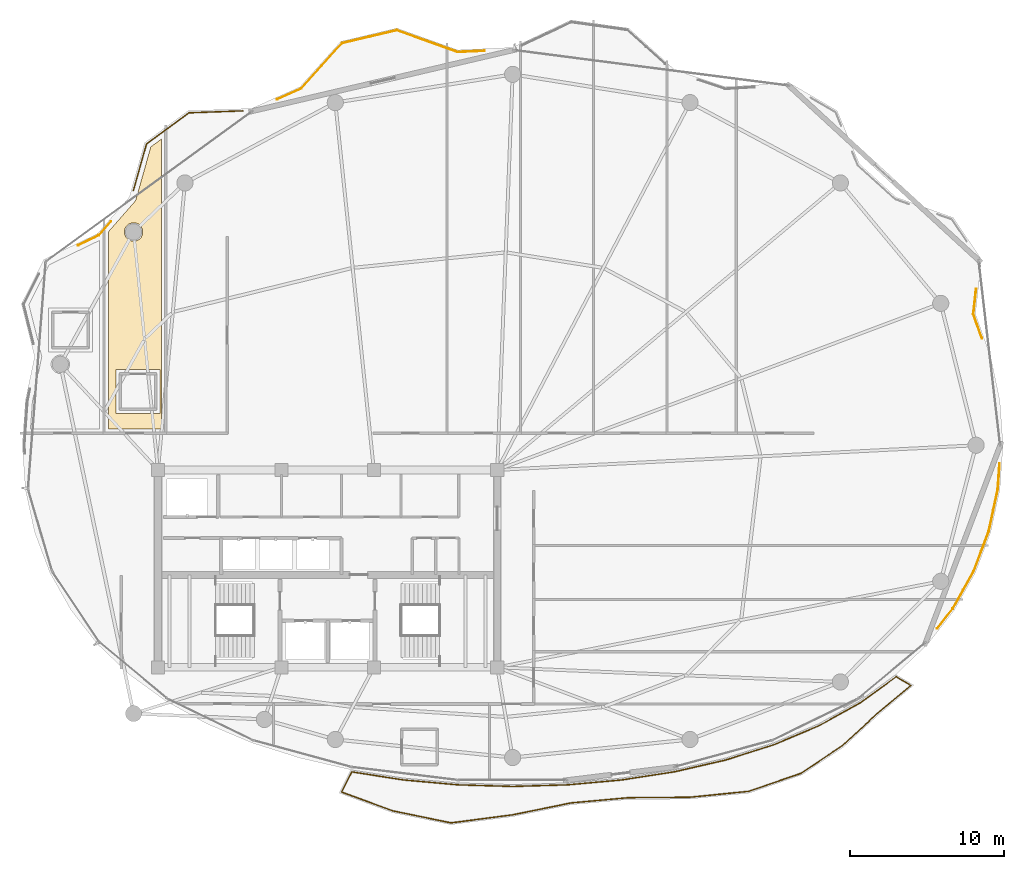
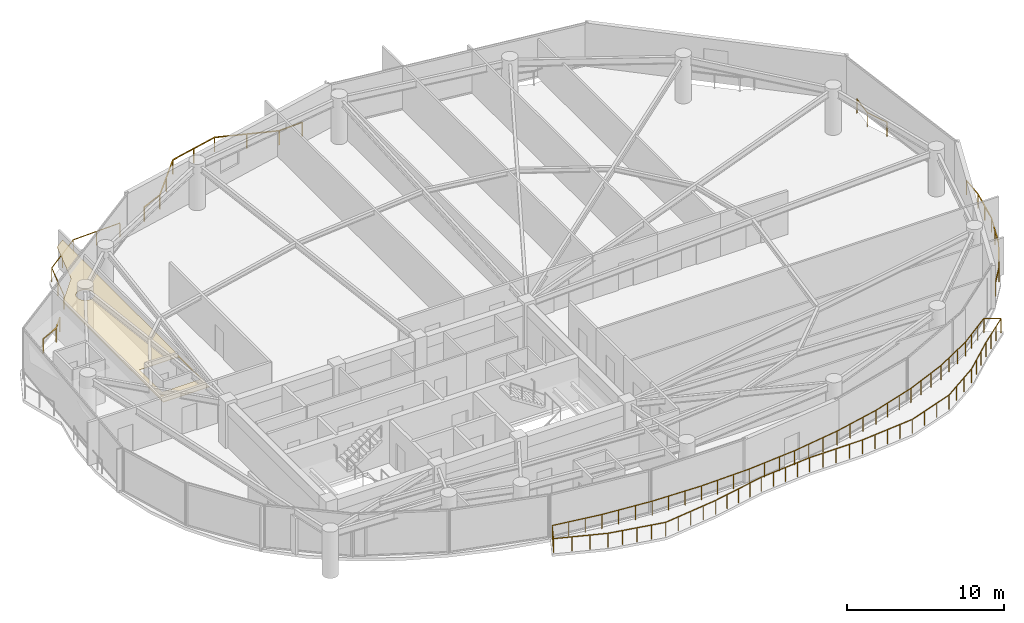
# One storey, part 30 of 31: 6 railings, 1 covering.
"""IFC4 building model written with IfcOpenShell, lengths in metres."""

from ifc_helpers import new_model, si_unit, direction, frame, origin, origin_2d, place, context, subcontext, project, spatial, polyline, rectangle, outline, extrude, material, layer, layer_set, type_object, element, save


model = new_model("IFC4")

# Units and contexts
model_context = context("Model", 3, precision=1e-05, world=origin(), true_north=direction((0.0, 1.0)))
body_context = subcontext(model_context, "Body", "Model", "MODEL_VIEW")
ifc_project = project(units=[si_unit("LENGTHUNIT", "METRE"), si_unit("AREAUNIT", "SQUARE_METRE"), si_unit("VOLUMEUNIT", "CUBIC_METRE"), si_unit("PLANEANGLEUNIT", "RADIAN"), si_unit("MASSUNIT", "GRAM", prefix="KILO")], contexts=[model_context])

# Site, building, storey
site_placement = place(None, origin())
site = spatial("IfcSite", under=ifc_project, at=site_placement, CompositionType="ELEMENT")
building_placement = place(site_placement, origin())
building = spatial("IfcBuilding", under=site, at=building_placement, Name="Kazevale Care Tower and Concert Hall", CompositionType="ELEMENT")
storey_placement = place(building_placement, frame((0.0, 0.0, 210.0)))
storey = spatial("IfcBuildingStorey", under=building, at=storey_placement, Name="L55", CompositionType="ELEMENT", Elevation=210.0)

# Covering
ifc_material_1 = material(Name="Acoustic Plaster and Hinoki Wood", Category="wood")
ifc_layer = layer(ifc_material_1, 0.0400390625)
ifc_layer_set = layer_set([ifc_layer], Name="Acoustic Plaster and Hinoki Wood")
covering_type = type_object("IfcCoveringType", Name="Acoustic Perforated Wood-Gypsum Ceiling", PredefinedType="CEILING", material=ifc_layer_set)
covering_placement = place(storey_placement, frame((0.0, 0.0, 2.7099609375)))
element("IfcCovering", 1, at=covering_placement, inside=storey, type_object=covering_type, Name="clg:L55:2", PredefinedType="CEILING", context=body_context, shape_type="SweptSolid", body=[
    extrude(outline(polyline([(22.219970703125, 57.84912109375), (22.219970703125, 39.054931640625), (18.780029296875, 39.054931640625), (18.780029296875, 51.8349609375), (20.552001953125, 53.861083984375), (21.534912109375, 57.344970703125), (22.219970703125, 57.84912109375)]), holes=[polyline([(19.27001953125, 42.905029296875), (19.27001953125, 40.044921875), (22.1298828125, 40.044921875), (22.1298828125, 42.905029296875), (19.27001953125, 42.905029296875)]), polyline([(21.012939453125, 51.947998046875), (20.923095703125, 52.166015625), (20.756103515625, 52.3330078125), (20.5380859375, 52.423095703125), (20.302001953125, 52.423095703125), (20.083984375, 52.3330078125), (19.9169921875, 52.166015625), (19.826904296875, 51.947998046875), (19.826904296875, 51.7119140625), (19.9169921875, 51.493896484375), (20.083984375, 51.326904296875), (20.302001953125, 51.237060546875), (20.5380859375, 51.237060546875), (20.756103515625, 51.326904296875), (20.923095703125, 51.493896484375), (21.012939453125, 51.7119140625), (21.012939453125, 51.947998046875)])]), origin(), (0.0, 0.0, 1.0), 0.0400390625),
])

# Railings
ifc_material_2 = material(Name="Anodised Bronze Aluminium and Laminated Glass", Category="aluminium")
railing_type = type_object("IfcRailingType", Name="Balcony and Terrace Balustrade 1120", PredefinedType="BALUSTRADE", material=ifc_material_2)
railing_1_placement = place(storey_placement, frame((16.83203125, 50.968994140625, 0.0)))
element("IfcRailing", 2, at=railing_1_placement, inside=storey, type_object=railing_type, Name="rail:L55:perim:3", PredefinedType="BALUSTRADE", context=body_context, shape_type="SweptSolid", body=[
    extrude(rectangle(XDim=0.048095703125, YDim=0.048095703125, at=origin_2d()), frame((0.0, 0.0, 1.09619140625), z_axis=(0.899880965399, 0.436135584553, 0.0), x_axis=(-0.436135584553, 0.899880965399, 0.0)), (0.0, 0.0, 1.0), 1.476806640625),
    extrude(rectangle(XDim=0.048095703125, YDim=0.048095703125, at=origin_2d()), frame((1.328857421875, 0.64404296875, 1.09619140625), z_axis=(0.658533673371, 0.752551261402, 0.0), x_axis=(-0.752551261402, 0.658533673371, 0.0)), (0.0, 0.0, 1.0), 1.189208984375),
    extrude(rectangle(XDim=0.0419921875, YDim=0.0419921875, at=origin_2d()), origin(), (0.0, 0.0, 1.0), 1.072021484375),
    extrude(rectangle(XDim=0.0419921875, YDim=0.0419921875, at=origin_2d()), frame((1.328857421875, 0.64404296875, 0.0)), (0.0, 0.0, 1.0), 1.072021484375),
    extrude(rectangle(XDim=0.0419921875, YDim=0.0419921875, at=origin_2d()), frame((2.112060546875, 1.5390625, 0.0)), (0.0, 0.0, 1.0), 1.072021484375),
])
railing_2_placement = place(storey_placement, frame((20.403076171875, 54.511962890625, 0.0)))
element("IfcRailing", 3, at=railing_2_placement, inside=storey, type_object=railing_type, Name="rail:L55:perim:4", PredefinedType="BALUSTRADE", context=body_context, shape_type="SweptSolid", body=[
    extrude(rectangle(XDim=0.048095703125, YDim=0.048095703125, at=origin_2d()), frame((0.0, 0.0, 1.09619140625), z_axis=(0.27160216444, 0.962409613559, 0.0), x_axis=(-0.962409613559, 0.27160216444, 0.0)), (0.0, 0.0, 1.0), 3.144287109375),
    extrude(rectangle(XDim=0.048095703125, YDim=0.048095703125, at=origin_2d()), frame((0.85400390625, 3.026123046875, 1.09619140625), z_axis=(0.805881115656, 0.592077382973, 0.0), x_axis=(-0.592077382973, 0.805881115656, 0.0)), (0.0, 0.0, 1.0), 3.40966796875),
    extrude(rectangle(XDim=0.048095703125, YDim=0.048095703125, at=origin_2d()), frame((3.601806640625, 5.044921875, 1.09619140625), z_axis=(0.999339175446, 0.036348485787, 0.0), x_axis=(-0.036348485787, 0.999339175446, 0.0)), (0.0, 0.0, 1.0), 3.499267578125),
    extrude(rectangle(XDim=0.0419921875, YDim=0.0419921875, at=origin_2d()), origin(), (0.0, 0.0, 1.0), 1.072021484375),
    extrude(rectangle(XDim=0.0419921875, YDim=0.0419921875, at=origin_2d()), frame((0.427001953125, 1.51318359375, 0.0)), (0.0, 0.0, 1.0), 1.072021484375),
    extrude(rectangle(XDim=0.0419921875, YDim=0.0419921875, at=origin_2d()), frame((0.85400390625, 3.026123046875, 0.0)), (0.0, 0.0, 1.0), 1.072021484375),
    extrude(rectangle(XDim=0.0419921875, YDim=0.0419921875, at=origin_2d()), frame((2.22802734375, 4.03564453125, 0.0)), (0.0, 0.0, 1.0), 1.072021484375),
    extrude(rectangle(XDim=0.0419921875, YDim=0.0419921875, at=origin_2d()), frame((3.601806640625, 5.044921875, 0.0)), (0.0, 0.0, 1.0), 1.072021484375),
    extrude(rectangle(XDim=0.0419921875, YDim=0.0419921875, at=origin_2d()), frame((5.350341796875, 5.1083984375, 0.0)), (0.0, 0.0, 1.0), 1.072021484375),
    extrude(rectangle(XDim=0.0419921875, YDim=0.0419921875, at=origin_2d()), frame((7.098876953125, 5.172119140625, 0.0)), (0.0, 0.0, 1.0), 1.072021484375),
])
railing_3_placement = place(storey_placement, frame((29.737060546875, 60.43505859375, 0.0)))
element("IfcRailing", 4, at=railing_3_placement, inside=storey, type_object=railing_type, Name="rail:L55:perim:5", PredefinedType="BALUSTRADE", context=body_context, shape_type="SweptSolid", body=[
    extrude(rectangle(XDim=0.048095703125, YDim=0.048095703125, at=origin_2d()), frame((0.0, 0.0, 1.09619140625), z_axis=(0.912729386392, 0.408564642641, 0.0), x_axis=(-0.408564642641, 0.912729386392, 0.0)), (0.0, 0.0, 1.0), 1.6982421875),
    extrude(rectangle(XDim=0.048095703125, YDim=0.048095703125, at=origin_2d()), frame((1.550048828125, 0.69384765625, 1.09619140625), z_axis=(0.668500240789, 0.743711925456, 0.0), x_axis=(-0.743711925456, 0.668500240789, 0.0)), (0.0, 0.0, 1.0), 3.950439453125),
    extrude(rectangle(XDim=0.048095703125, YDim=0.048095703125, at=origin_2d()), frame((4.19091796875, 3.6318359375, 1.09619140625), z_axis=(0.97312090779, 0.2302948085, 0.0), x_axis=(-0.2302948085, 0.97312090779, 0.0)), (0.0, 0.0, 1.0), 3.652099609375),
    extrude(rectangle(XDim=0.048095703125, YDim=0.048095703125, at=origin_2d()), frame((7.744873046875, 4.472900390625, 1.09619140625), z_axis=(0.941350252636, -0.337431032749, 0.0), x_axis=(0.337431032749, 0.941350252636, 0.0)), (0.0, 0.0, 1.0), 4.18115234375),
    extrude(rectangle(XDim=0.048095703125, YDim=0.048095703125, at=origin_2d()), frame((11.680908203125, 3.06201171875, 1.09619140625), z_axis=(0.998977358959, 0.045213231333, 0.0), x_axis=(-0.045213231333, 0.998977358959, 0.0)), (0.0, 0.0, 1.0), 1.765625),
    extrude(rectangle(XDim=0.0419921875, YDim=0.0419921875, at=origin_2d()), origin(), (0.0, 0.0, 1.0), 1.072021484375),
    extrude(rectangle(XDim=0.0419921875, YDim=0.0419921875, at=origin_2d()), frame((1.550048828125, 0.69384765625, 0.0)), (0.0, 0.0, 1.0), 1.072021484375),
    extrude(rectangle(XDim=0.0419921875, YDim=0.0419921875, at=origin_2d()), frame((2.87060546875, 2.162841796875, 0.0)), (0.0, 0.0, 1.0), 1.072021484375),
    extrude(rectangle(XDim=0.0419921875, YDim=0.0419921875, at=origin_2d()), frame((4.19091796875, 3.6318359375, 0.0)), (0.0, 0.0, 1.0), 1.072021484375),
    extrude(rectangle(XDim=0.0419921875, YDim=0.0419921875, at=origin_2d()), frame((5.9677734375, 4.05224609375, 0.0)), (0.0, 0.0, 1.0), 1.072021484375),
    extrude(rectangle(XDim=0.0419921875, YDim=0.0419921875, at=origin_2d()), frame((7.744873046875, 4.472900390625, 0.0)), (0.0, 0.0, 1.0), 1.072021484375),
    extrude(rectangle(XDim=0.0419921875, YDim=0.0419921875, at=origin_2d()), frame((9.712890625, 3.767578125, 0.0)), (0.0, 0.0, 1.0), 1.072021484375),
    extrude(rectangle(XDim=0.0419921875, YDim=0.0419921875, at=origin_2d()), frame((11.680908203125, 3.06201171875, 0.0)), (0.0, 0.0, 1.0), 1.072021484375),
    extrude(rectangle(XDim=0.0419921875, YDim=0.0419921875, at=origin_2d()), frame((13.44482421875, 3.141845703125, 0.0)), (0.0, 0.0, 1.0), 1.072021484375),
])
railing_4_placement = place(storey_placement, frame((76.576904296875, 36.81103515625, 0.0)))
element("IfcRailing", 5, at=railing_4_placement, inside=storey, type_object=railing_type, Name="rail:L55:perim:11", PredefinedType="BALUSTRADE", context=body_context, shape_type="SweptSolid", body=[
    extrude(rectangle(XDim=0.048095703125, YDim=0.048095703125, at=origin_2d()), frame((0.0, 0.0, 1.09619140625), z_axis=(-0.069683140934, -0.997569175481, 0.0), x_axis=(0.997569175481, -0.069683140934, 0.0)), (0.0, 0.0, 1.0), 1.664306640625),
    extrude(rectangle(XDim=0.048095703125, YDim=0.048095703125, at=origin_2d()), frame((-0.115966796875, -1.66015625, 1.09619140625), z_axis=(-0.210886672564, -0.97751051725, 0.0), x_axis=(0.97751051725, -0.210886672564, 0.0)), (0.0, 0.0, 1.0), 2.81201171875),
    extrude(rectangle(XDim=0.048095703125, YDim=0.048095703125, at=origin_2d()), frame((-0.708984375, -4.408935546875, 1.09619140625), z_axis=(-0.352914941795, -0.935655408715, 0.0), x_axis=(0.935655408715, -0.352914941795, 0.0)), (0.0, 0.0, 1.0), 2.77685546875),
    extrude(rectangle(XDim=0.048095703125, YDim=0.048095703125, at=origin_2d()), frame((-1.68896484375, -7.007080078125, 1.09619140625), z_axis=(-0.490131162051, -0.871648692987, 0.0), x_axis=(0.871648692987, -0.490131162051, 0.0)), (0.0, 0.0, 1.0), 2.762451171875),
    extrude(rectangle(XDim=0.048095703125, YDim=0.048095703125, at=origin_2d()), frame((-3.04296875, -9.4150390625, 1.09619140625), z_axis=(-0.615507243123, -0.788131228707, 0.0), x_axis=(0.788131228707, -0.615507243123, 0.0)), (0.0, 0.0, 1.0), 1.6279296875),
    extrude(rectangle(XDim=0.0419921875, YDim=0.0419921875, at=origin_2d()), origin(), (0.0, 0.0, 1.0), 1.072021484375),
    extrude(rectangle(XDim=0.0419921875, YDim=0.0419921875, at=origin_2d()), frame((-0.115966796875, -1.66015625, 0.0)), (0.0, 0.0, 1.0), 1.072021484375),
    extrude(rectangle(XDim=0.0419921875, YDim=0.0419921875, at=origin_2d()), frame((-0.41259765625, -3.03466796875, 0.0)), (0.0, 0.0, 1.0), 1.072021484375),
    extrude(rectangle(XDim=0.0419921875, YDim=0.0419921875, at=origin_2d()), frame((-0.708984375, -4.408935546875, 0.0)), (0.0, 0.0, 1.0), 1.072021484375),
    extrude(rectangle(XDim=0.0419921875, YDim=0.0419921875, at=origin_2d()), frame((-1.198974609375, -5.7080078125, 0.0)), (0.0, 0.0, 1.0), 1.072021484375),
    extrude(rectangle(XDim=0.0419921875, YDim=0.0419921875, at=origin_2d()), frame((-1.68896484375, -7.007080078125, 0.0)), (0.0, 0.0, 1.0), 1.072021484375),
    extrude(rectangle(XDim=0.0419921875, YDim=0.0419921875, at=origin_2d()), frame((-2.365966796875, -8.2109375, 0.0)), (0.0, 0.0, 1.0), 1.072021484375),
    extrude(rectangle(XDim=0.0419921875, YDim=0.0419921875, at=origin_2d()), frame((-3.04296875, -9.4150390625, 0.0)), (0.0, 0.0, 1.0), 1.072021484375),
    extrude(rectangle(XDim=0.0419921875, YDim=0.0419921875, at=origin_2d()), frame((-4.044921875, -10.697998046875, 0.0)), (0.0, 0.0, 1.0), 1.072021484375),
])
railing_5_placement = place(storey_placement, frame((75.054931640625, 48.138916015625, 0.0)))
element("IfcRailing", 6, at=railing_5_placement, inside=storey, type_object=railing_type, Name="rail:L55:perim:12", PredefinedType="BALUSTRADE", context=body_context, shape_type="SweptSolid", body=[
    extrude(rectangle(XDim=0.048095703125, YDim=0.048095703125, at=origin_2d()), frame((0.0, 0.0, 1.09619140625), z_axis=(-0.110627099756, -0.993861984784, 0.0), x_axis=(0.993861984784, -0.110627099756, 0.0)), (0.0, 0.0, 1.0), 1.64404296875),
    extrude(rectangle(XDim=0.048095703125, YDim=0.048095703125, at=origin_2d()), frame((-0.181884765625, -1.634033203125, 1.09619140625), z_axis=(0.334582750454, -0.942366374134, 0.0), x_axis=(0.942366374134, 0.334582750454, 0.0)), (0.0, 0.0, 1.0), 1.65869140625),
    extrude(rectangle(XDim=0.0419921875, YDim=0.0419921875, at=origin_2d()), origin(), (0.0, 0.0, 1.0), 1.072021484375),
    extrude(rectangle(XDim=0.0419921875, YDim=0.0419921875, at=origin_2d()), frame((-0.181884765625, -1.634033203125, 0.0)), (0.0, 0.0, 1.0), 1.072021484375),
    extrude(rectangle(XDim=0.0419921875, YDim=0.0419921875, at=origin_2d()), frame((0.373046875, -3.197021484375, 0.0)), (0.0, 0.0, 1.0), 1.072021484375),
])
railing_6_placement = place(storey_placement, frame((34.56298828125, 16.819091796875, 0.0)))
element("IfcRailing", 7, at=railing_6_placement, inside=storey, type_object=railing_type, Name="rail:L55:balcony", PredefinedType="BALUSTRADE", context=body_context, shape_type="SweptSolid", body=[
    extrude(rectangle(XDim=0.048095703125, YDim=0.048095703125, at=origin_2d()), frame((0.0, 0.0, 1.09619140625), z_axis=(0.988093340761, -0.15385561395, 0.0), x_axis=(0.15385561395, 0.988093340761, 0.0)), (0.0, 0.0, 1.0), 3.38623046875),
    extrude(rectangle(XDim=0.048095703125, YDim=0.048095703125, at=origin_2d()), frame((3.345947265625, -0.52099609375, 1.09619140625), z_axis=(0.995947899496, -0.089932093766, 0.0), x_axis=(0.089932093766, 0.995947899496, 0.0)), (0.0, 0.0, 1.0), 3.537353515625),
    extrude(rectangle(XDim=0.048095703125, YDim=0.048095703125, at=origin_2d()), frame((6.868896484375, -0.839111328125, 1.09619140625), z_axis=(0.999567458851, -0.029409100739, 0.0), x_axis=(0.029409100739, 0.999567458851, 0.0)), (0.0, 0.0, 1.0), 3.569580078125),
    extrude(rectangle(XDim=0.048095703125, YDim=0.048095703125, at=origin_2d()), frame((10.43701171875, -0.944091796875, 1.09619140625), z_axis=(0.999567458851, 0.029409100739, 0.0), x_axis=(-0.029409100739, 0.999567458851, 0.0)), (0.0, 0.0, 1.0), 3.569580078125),
    extrude(rectangle(XDim=0.048095703125, YDim=0.048095703125, at=origin_2d()), frame((14.005126953125, -0.839111328125, 1.09619140625), z_axis=(0.995947899496, 0.089932093766, 0.0), x_axis=(-0.089932093766, 0.995947899496, 0.0)), (0.0, 0.0, 1.0), 3.537353515625),
    extrude(rectangle(XDim=0.048095703125, YDim=0.048095703125, at=origin_2d()), frame((17.528076171875, -0.52099609375, 1.09619140625), z_axis=(0.988098216207, 0.153824299539, 0.0), x_axis=(-0.153824299539, 0.988098216207, 0.0)), (0.0, 0.0, 1.0), 3.4775390625),
    extrude(rectangle(XDim=0.048095703125, YDim=0.048095703125, at=origin_2d()), frame((20.964111328125, 0.013916015625, 1.09619140625), z_axis=(0.974534254558, 0.224238682418, 0.0), x_axis=(-0.224238682418, 0.974534254558, 0.0)), (0.0, 0.0, 1.0), 3.389404296875),
    extrude(rectangle(XDim=0.048095703125, YDim=0.048095703125, at=origin_2d()), frame((24.26708984375, 0.77392578125, 1.09619140625), z_axis=(0.953239514235, 0.302215864078, 0.0), x_axis=(-0.302215864078, 0.953239514235, 0.0)), (0.0, 0.0, 1.0), 3.285400390625),
    extrude(rectangle(XDim=0.048095703125, YDim=0.048095703125, at=origin_2d()), frame((27.39892578125, 1.766845703125, 1.09619140625), z_axis=(0.921006567992, 0.389547046858, 0.0), x_axis=(-0.389547046858, 0.921006567992, 0.0)), (0.0, 0.0, 1.0), 3.170654296875),
    extrude(rectangle(XDim=0.048095703125, YDim=0.048095703125, at=origin_2d()), frame((30.319091796875, 3.001953125, 1.09619140625), z_axis=(0.874149737903, 0.485656499724, 0.0), x_axis=(-0.485656499724, 0.874149737903, 0.0)), (0.0, 0.0, 1.0), 3.055419921875),
    extrude(rectangle(XDim=0.048095703125, YDim=0.048095703125, at=origin_2d()), frame((32.989990234375, 4.48583984375, 1.09619140625), z_axis=(0.809111467971, 0.587655198562, 0.0), x_axis=(-0.587655198562, 0.809111467971, 0.0)), (0.0, 0.0, 1.0), 2.867431640625),
    extrude(rectangle(XDim=0.048095703125, YDim=0.048095703125, at=origin_2d()), frame((35.31005859375, 6.1708984375, 1.09619140625), z_axis=(0.858355490947, -0.513055407497, 0.0), x_axis=(0.513055407497, 0.858355490947, 0.0)), (0.0, 0.0, 1.0), 1.097412109375),
    extrude(rectangle(XDim=0.048095703125, YDim=0.048095703125, at=origin_2d()), frame((36.251953125, 5.60791015625, 1.09619140625), z_axis=(-0.765382237853, -0.643575970635, 0.0), x_axis=(0.643575970635, -0.765382237853, 0.0)), (0.0, 0.0, 1.0), 2.84814453125),
    extrude(rectangle(XDim=0.048095703125, YDim=0.048095703125, at=origin_2d()), frame((34.072021484375, 3.77490234375, 1.09619140625), z_axis=(-0.734809593591, -0.678273441296, 0.0), x_axis=(0.678273441296, -0.734809593591, 0.0)), (0.0, 0.0, 1.0), 3.04443359375),
    extrude(rectangle(XDim=0.048095703125, YDim=0.048095703125, at=origin_2d()), frame((31.8349609375, 1.7099609375, 1.09619140625), z_axis=(-0.832223601123, -0.554440148018, 0.0), x_axis=(0.554440148018, -0.832223601123, 0.0)), (0.0, 0.0, 1.0), 3.250244140625),
    extrude(rectangle(XDim=0.048095703125, YDim=0.048095703125, at=origin_2d()), frame((29.130126953125, -0.092041015625, 1.09619140625), z_axis=(-0.944927546461, -0.327279592915, 0.0), x_axis=(0.327279592915, -0.944927546461, 0.0)), (0.0, 0.0, 1.0), 3.57177734375),
    extrude(rectangle(XDim=0.048095703125, YDim=0.048095703125, at=origin_2d()), frame((25.755126953125, -1.260986328125, 1.09619140625), z_axis=(-0.995092942124, -0.098944613476, 0.0), x_axis=(0.098944613476, -0.995092942124, 0.0)), (0.0, 0.0, 1.0), 3.89111328125),
    extrude(rectangle(XDim=0.048095703125, YDim=0.048095703125, at=origin_2d()), frame((21.883056640625, -1.64599609375, 1.09619140625), z_axis=(-0.99997777298, -0.006667349309, 0.0), x_axis=(0.006667349309, -0.99997777298, 0.0)), (0.0, 0.0, 1.0), 3.91796875),
    extrude(rectangle(XDim=0.048095703125, YDim=0.048095703125, at=origin_2d()), frame((17.965087890625, -1.672119140625, 1.09619140625), z_axis=(-0.99587513771, -0.090734282886, 0.0), x_axis=(0.090734282886, -0.99587513771, 0.0)), (0.0, 0.0, 1.0), 3.769775390625),
    extrude(rectangle(XDim=0.048095703125, YDim=0.048095703125, at=origin_2d()), frame((14.2109375, -2.01416015625, 1.09619140625), z_axis=(-0.979871067121, -0.199631389865, 0.0), x_axis=(0.199631389865, -0.979871067121, 0.0)), (0.0, 0.0, 1.0), 3.871826171875),
    extrude(rectangle(XDim=0.048095703125, YDim=0.048095703125, at=origin_2d()), frame((10.4169921875, -2.787109375, 1.09619140625), z_axis=(-0.991590904465, -0.12941204806, 0.0), x_axis=(0.12941204806, -0.991590904465, 0.0)), (0.0, 0.0, 1.0), 4.0107421875),
    extrude(rectangle(XDim=0.048095703125, YDim=0.048095703125, at=origin_2d()), frame((6.43994140625, -3.30615234375, 1.09619140625), z_axis=(-0.979336041778, 0.202239751962, 0.0), x_axis=(-0.202239751962, -0.979336041778, 0.0)), (0.0, 0.0, 1.0), 3.86181640625),
    extrude(rectangle(XDim=0.048095703125, YDim=0.048095703125, at=origin_2d()), frame((2.657958984375, -2.525146484375, 1.09619140625), z_axis=(-0.938478951026, 0.345336442445, 0.0), x_axis=(-0.345336442445, -0.938478951026, 0.0)), (0.0, 0.0, 1.0), 3.527099609375),
    extrude(rectangle(XDim=0.048095703125, YDim=0.048095703125, at=origin_2d()), frame((-0.652099609375, -1.30712890625, 1.09619140625), z_axis=(0.446411179125, 0.89482794947, 0.0), x_axis=(-0.89482794947, 0.446411179125, 0.0)), (0.0, 0.0, 1.0), 1.460693359375),
    extrude(rectangle(XDim=0.0419921875, YDim=0.0419921875, at=origin_2d()), origin(), (0.0, 0.0, 1.0), 1.072021484375),
    extrude(rectangle(XDim=0.0419921875, YDim=0.0419921875, at=origin_2d()), frame((1.115234375, -0.173583984375, 0.0)), (0.0, 0.0, 1.0), 1.072021484375),
    extrude(rectangle(XDim=0.0419921875, YDim=0.0419921875, at=origin_2d()), frame((2.230712890625, -0.347412109375, 0.0)), (0.0, 0.0, 1.0), 1.072021484375),
    extrude(rectangle(XDim=0.0419921875, YDim=0.0419921875, at=origin_2d()), frame((3.345947265625, -0.52099609375, 0.0)), (0.0, 0.0, 1.0), 1.072021484375),
    extrude(rectangle(XDim=0.0419921875, YDim=0.0419921875, at=origin_2d()), frame((4.520263671875, -0.626953125, 0.0)), (0.0, 0.0, 1.0), 1.072021484375),
    extrude(rectangle(XDim=0.0419921875, YDim=0.0419921875, at=origin_2d()), frame((5.694580078125, -0.733154296875, 0.0)), (0.0, 0.0, 1.0), 1.072021484375),
    extrude(rectangle(XDim=0.0419921875, YDim=0.0419921875, at=origin_2d()), frame((6.868896484375, -0.839111328125, 0.0)), (0.0, 0.0, 1.0), 1.072021484375),
    extrude(rectangle(XDim=0.0419921875, YDim=0.0419921875, at=origin_2d()), frame((8.058349609375, -0.8740234375, 0.0)), (0.0, 0.0, 1.0), 1.072021484375),
    extrude(rectangle(XDim=0.0419921875, YDim=0.0419921875, at=origin_2d()), frame((9.24755859375, -0.9091796875, 0.0)), (0.0, 0.0, 1.0), 1.072021484375),
    extrude(rectangle(XDim=0.0419921875, YDim=0.0419921875, at=origin_2d()), frame((10.43701171875, -0.944091796875, 0.0)), (0.0, 0.0, 1.0), 1.072021484375),
    extrude(rectangle(XDim=0.0419921875, YDim=0.0419921875, at=origin_2d()), frame((11.62646484375, -0.9091796875, 0.0)), (0.0, 0.0, 1.0), 1.072021484375),
    extrude(rectangle(XDim=0.0419921875, YDim=0.0419921875, at=origin_2d()), frame((12.815673828125, -0.8740234375, 0.0)), (0.0, 0.0, 1.0), 1.072021484375),
    extrude(rectangle(XDim=0.0419921875, YDim=0.0419921875, at=origin_2d()), frame((14.005126953125, -0.839111328125, 0.0)), (0.0, 0.0, 1.0), 1.072021484375),
    extrude(rectangle(XDim=0.0419921875, YDim=0.0419921875, at=origin_2d()), frame((15.179443359375, -0.733154296875, 0.0)), (0.0, 0.0, 1.0), 1.072021484375),
    extrude(rectangle(XDim=0.0419921875, YDim=0.0419921875, at=origin_2d()), frame((16.353759765625, -0.626953125, 0.0)), (0.0, 0.0, 1.0), 1.072021484375),
    extrude(rectangle(XDim=0.0419921875, YDim=0.0419921875, at=origin_2d()), frame((17.528076171875, -0.52099609375, 0.0)), (0.0, 0.0, 1.0), 1.072021484375),
    extrude(rectangle(XDim=0.0419921875, YDim=0.0419921875, at=origin_2d()), frame((18.67333984375, -0.3427734375, 0.0)), (0.0, 0.0, 1.0), 1.072021484375),
    extrude(rectangle(XDim=0.0419921875, YDim=0.0419921875, at=origin_2d()), frame((19.81884765625, -0.164306640625, 0.0)), (0.0, 0.0, 1.0), 1.072021484375),
    extrude(rectangle(XDim=0.0419921875, YDim=0.0419921875, at=origin_2d()), frame((20.964111328125, 0.013916015625, 0.0)), (0.0, 0.0, 1.0), 1.072021484375),
    extrude(rectangle(XDim=0.0419921875, YDim=0.0419921875, at=origin_2d()), frame((22.065185546875, 0.267333984375, 0.0)), (0.0, 0.0, 1.0), 1.072021484375),
    extrude(rectangle(XDim=0.0419921875, YDim=0.0419921875, at=origin_2d()), frame((23.166015625, 0.5205078125, 0.0)), (0.0, 0.0, 1.0), 1.072021484375),
    extrude(rectangle(XDim=0.0419921875, YDim=0.0419921875, at=origin_2d()), frame((24.26708984375, 0.77392578125, 0.0)), (0.0, 0.0, 1.0), 1.072021484375),
    extrude(rectangle(XDim=0.0419921875, YDim=0.0419921875, at=origin_2d()), frame((25.31103515625, 1.10498046875, 0.0)), (0.0, 0.0, 1.0), 1.072021484375),
    extrude(rectangle(XDim=0.0419921875, YDim=0.0419921875, at=origin_2d()), frame((26.35498046875, 1.435791015625, 0.0)), (0.0, 0.0, 1.0), 1.072021484375),
    extrude(rectangle(XDim=0.0419921875, YDim=0.0419921875, at=origin_2d()), frame((27.39892578125, 1.766845703125, 0.0)), (0.0, 0.0, 1.0), 1.072021484375),
    extrude(rectangle(XDim=0.0419921875, YDim=0.0419921875, at=origin_2d()), frame((28.372314453125, 2.178466796875, 0.0)), (0.0, 0.0, 1.0), 1.072021484375),
    extrude(rectangle(XDim=0.0419921875, YDim=0.0419921875, at=origin_2d()), frame((29.345703125, 2.59033203125, 0.0)), (0.0, 0.0, 1.0), 1.072021484375),
    extrude(rectangle(XDim=0.0419921875, YDim=0.0419921875, at=origin_2d()), frame((30.319091796875, 3.001953125, 0.0)), (0.0, 0.0, 1.0), 1.072021484375),
    extrude(rectangle(XDim=0.0419921875, YDim=0.0419921875, at=origin_2d()), frame((31.20947265625, 3.49658203125, 0.0)), (0.0, 0.0, 1.0), 1.072021484375),
    extrude(rectangle(XDim=0.0419921875, YDim=0.0419921875, at=origin_2d()), frame((32.099609375, 3.9912109375, 0.0)), (0.0, 0.0, 1.0), 1.072021484375),
    extrude(rectangle(XDim=0.0419921875, YDim=0.0419921875, at=origin_2d()), frame((32.989990234375, 4.48583984375, 0.0)), (0.0, 0.0, 1.0), 1.072021484375),
    extrude(rectangle(XDim=0.0419921875, YDim=0.0419921875, at=origin_2d()), frame((33.763427734375, 5.047607421875, 0.0)), (0.0, 0.0, 1.0), 1.072021484375),
    extrude(rectangle(XDim=0.0419921875, YDim=0.0419921875, at=origin_2d()), frame((34.53662109375, 5.609130859375, 0.0)), (0.0, 0.0, 1.0), 1.072021484375),
    extrude(rectangle(XDim=0.0419921875, YDim=0.0419921875, at=origin_2d()), frame((35.31005859375, 6.1708984375, 0.0)), (0.0, 0.0, 1.0), 1.072021484375),
    extrude(rectangle(XDim=0.0419921875, YDim=0.0419921875, at=origin_2d()), frame((36.251953125, 5.60791015625, 0.0)), (0.0, 0.0, 1.0), 1.072021484375),
    extrude(rectangle(XDim=0.0419921875, YDim=0.0419921875, at=origin_2d()), frame((35.525390625, 4.996826171875, 0.0)), (0.0, 0.0, 1.0), 1.072021484375),
    extrude(rectangle(XDim=0.0419921875, YDim=0.0419921875, at=origin_2d()), frame((34.798583984375, 4.385986328125, 0.0)), (0.0, 0.0, 1.0), 1.072021484375),
    extrude(rectangle(XDim=0.0419921875, YDim=0.0419921875, at=origin_2d()), frame((34.072021484375, 3.77490234375, 0.0)), (0.0, 0.0, 1.0), 1.072021484375),
    extrude(rectangle(XDim=0.0419921875, YDim=0.0419921875, at=origin_2d()), frame((33.326416015625, 3.086669921875, 0.0)), (0.0, 0.0, 1.0), 1.072021484375),
    extrude(rectangle(XDim=0.0419921875, YDim=0.0419921875, at=origin_2d()), frame((32.58056640625, 2.398193359375, 0.0)), (0.0, 0.0, 1.0), 1.072021484375),
    extrude(rectangle(XDim=0.0419921875, YDim=0.0419921875, at=origin_2d()), frame((31.8349609375, 1.7099609375, 0.0)), (0.0, 0.0, 1.0), 1.072021484375),
    extrude(rectangle(XDim=0.0419921875, YDim=0.0419921875, at=origin_2d()), frame((30.933349609375, 1.109375, 0.0)), (0.0, 0.0, 1.0), 1.072021484375),
    extrude(rectangle(XDim=0.0419921875, YDim=0.0419921875, at=origin_2d()), frame((30.03173828125, 0.508544921875, 0.0)), (0.0, 0.0, 1.0), 1.072021484375),
    extrude(rectangle(XDim=0.0419921875, YDim=0.0419921875, at=origin_2d()), frame((29.130126953125, -0.092041015625, 0.0)), (0.0, 0.0, 1.0), 1.072021484375),
    extrude(rectangle(XDim=0.0419921875, YDim=0.0419921875, at=origin_2d()), frame((28.005126953125, -0.481689453125, 0.0)), (0.0, 0.0, 1.0), 1.072021484375),
    extrude(rectangle(XDim=0.0419921875, YDim=0.0419921875, at=origin_2d()), frame((26.880126953125, -0.871337890625, 0.0)), (0.0, 0.0, 1.0), 1.072021484375),
    extrude(rectangle(XDim=0.0419921875, YDim=0.0419921875, at=origin_2d()), frame((25.755126953125, -1.260986328125, 0.0)), (0.0, 0.0, 1.0), 1.072021484375),
    extrude(rectangle(XDim=0.0419921875, YDim=0.0419921875, at=origin_2d()), frame((24.787109375, -1.357177734375, 0.0)), (0.0, 0.0, 1.0), 1.072021484375),
    extrude(rectangle(XDim=0.0419921875, YDim=0.0419921875, at=origin_2d()), frame((23.819091796875, -1.45361328125, 0.0)), (0.0, 0.0, 1.0), 1.072021484375),
    extrude(rectangle(XDim=0.0419921875, YDim=0.0419921875, at=origin_2d()), frame((22.85107421875, -1.5498046875, 0.0)), (0.0, 0.0, 1.0), 1.072021484375),
    extrude(rectangle(XDim=0.0419921875, YDim=0.0419921875, at=origin_2d()), frame((21.883056640625, -1.64599609375, 0.0)), (0.0, 0.0, 1.0), 1.072021484375),
    extrude(rectangle(XDim=0.0419921875, YDim=0.0419921875, at=origin_2d()), frame((20.903564453125, -1.652587890625, 0.0)), (0.0, 0.0, 1.0), 1.072021484375),
    extrude(rectangle(XDim=0.0419921875, YDim=0.0419921875, at=origin_2d()), frame((19.924072265625, -1.6591796875, 0.0)), (0.0, 0.0, 1.0), 1.072021484375),
    extrude(rectangle(XDim=0.0419921875, YDim=0.0419921875, at=origin_2d()), frame((18.944580078125, -1.66552734375, 0.0)), (0.0, 0.0, 1.0), 1.072021484375),
    extrude(rectangle(XDim=0.0419921875, YDim=0.0419921875, at=origin_2d()), frame((17.965087890625, -1.672119140625, 0.0)), (0.0, 0.0, 1.0), 1.072021484375),
    extrude(rectangle(XDim=0.0419921875, YDim=0.0419921875, at=origin_2d()), frame((17.026611328125, -1.757568359375, 0.0)), (0.0, 0.0, 1.0), 1.072021484375),
    extrude(rectangle(XDim=0.0419921875, YDim=0.0419921875, at=origin_2d()), frame((16.087890625, -1.84326171875, 0.0)), (0.0, 0.0, 1.0), 1.072021484375),
    extrude(rectangle(XDim=0.0419921875, YDim=0.0419921875, at=origin_2d()), frame((15.1494140625, -1.9287109375, 0.0)), (0.0, 0.0, 1.0), 1.072021484375),
    extrude(rectangle(XDim=0.0419921875, YDim=0.0419921875, at=origin_2d()), frame((14.2109375, -2.01416015625, 0.0)), (0.0, 0.0, 1.0), 1.072021484375),
    extrude(rectangle(XDim=0.0419921875, YDim=0.0419921875, at=origin_2d()), frame((13.262451171875, -2.20751953125, 0.0)), (0.0, 0.0, 1.0), 1.072021484375),
    extrude(rectangle(XDim=0.0419921875, YDim=0.0419921875, at=origin_2d()), frame((12.31396484375, -2.400634765625, 0.0)), (0.0, 0.0, 1.0), 1.072021484375),
    extrude(rectangle(XDim=0.0419921875, YDim=0.0419921875, at=origin_2d()), frame((11.365478515625, -2.59375, 0.0)), (0.0, 0.0, 1.0), 1.072021484375),
    extrude(rectangle(XDim=0.0419921875, YDim=0.0419921875, at=origin_2d()), frame((10.4169921875, -2.787109375, 0.0)), (0.0, 0.0, 1.0), 1.072021484375),
    extrude(rectangle(XDim=0.0419921875, YDim=0.0419921875, at=origin_2d()), frame((9.4228515625, -2.9169921875, 0.0)), (0.0, 0.0, 1.0), 1.072021484375),
    extrude(rectangle(XDim=0.0419921875, YDim=0.0419921875, at=origin_2d()), frame((8.428466796875, -3.046630859375, 0.0)), (0.0, 0.0, 1.0), 1.072021484375),
    extrude(rectangle(XDim=0.0419921875, YDim=0.0419921875, at=origin_2d()), frame((7.43408203125, -3.17626953125, 0.0)), (0.0, 0.0, 1.0), 1.072021484375),
    extrude(rectangle(XDim=0.0419921875, YDim=0.0419921875, at=origin_2d()), frame((6.43994140625, -3.30615234375, 0.0)), (0.0, 0.0, 1.0), 1.072021484375),
    extrude(rectangle(XDim=0.0419921875, YDim=0.0419921875, at=origin_2d()), frame((5.494384765625, -3.11083984375, 0.0)), (0.0, 0.0, 1.0), 1.072021484375),
    extrude(rectangle(XDim=0.0419921875, YDim=0.0419921875, at=origin_2d()), frame((4.548828125, -2.91552734375, 0.0)), (0.0, 0.0, 1.0), 1.072021484375),
    extrude(rectangle(XDim=0.0419921875, YDim=0.0419921875, at=origin_2d()), frame((3.603515625, -2.720458984375, 0.0)), (0.0, 0.0, 1.0), 1.072021484375),
    extrude(rectangle(XDim=0.0419921875, YDim=0.0419921875, at=origin_2d()), frame((2.657958984375, -2.525146484375, 0.0)), (0.0, 0.0, 1.0), 1.072021484375),
    extrude(rectangle(XDim=0.0419921875, YDim=0.0419921875, at=origin_2d()), frame((1.5546875, -2.119140625, 0.0)), (0.0, 0.0, 1.0), 1.072021484375),
    extrude(rectangle(XDim=0.0419921875, YDim=0.0419921875, at=origin_2d()), frame((0.451171875, -1.713134765625, 0.0)), (0.0, 0.0, 1.0), 1.072021484375),
    extrude(rectangle(XDim=0.0419921875, YDim=0.0419921875, at=origin_2d()), frame((-0.652099609375, -1.30712890625, 0.0)), (0.0, 0.0, 1.0), 1.072021484375),
    extrude(rectangle(XDim=0.0419921875, YDim=0.0419921875, at=origin_2d()), frame((-0.326171875, -0.653564453125, 0.0)), (0.0, 0.0, 1.0), 1.072021484375),
])

save(model, "model.ifc")
